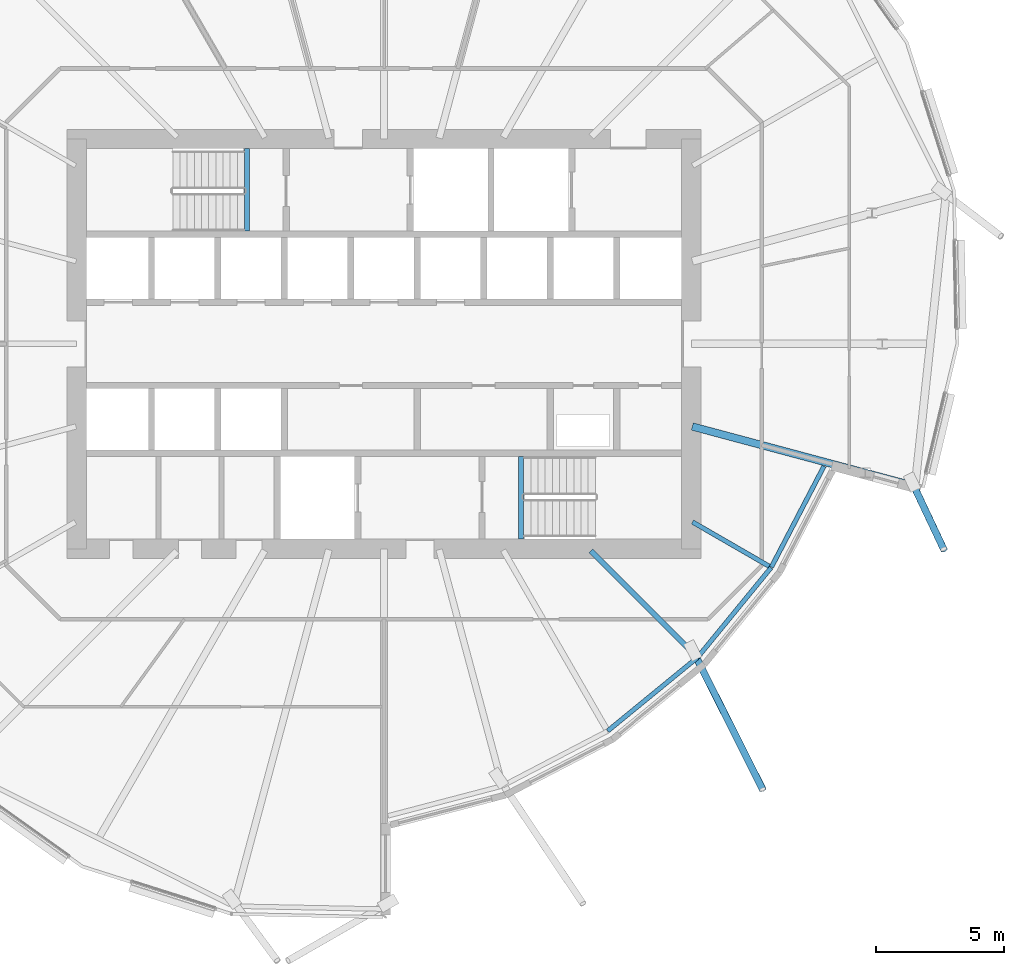
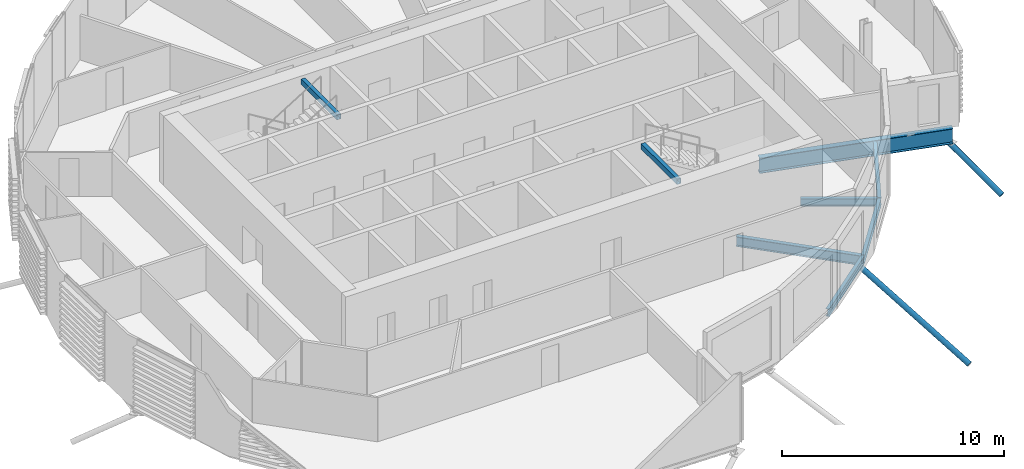
# One storey, part 15 of 42: 8 beams, 2 members.
"""IFC4 building model written with IfcOpenShell, lengths in metres."""

from ifc_helpers import new_model, si_unit, direction, frame, origin, origin_2d, place, context, subcontext, project, spatial, hollow_rectangle, hollow_circle, i_section, extrude, clip, halfspace, material, material_profile, profile_set, type_object, element, save


model = new_model("IFC4")

# Units and contexts
model_context = context("Model", 3, precision=1e-05, world=origin(), true_north=direction((0.0, 1.0)))
body_context = subcontext(model_context, "Body", "Model", "MODEL_VIEW")
ifc_project = project(units=[si_unit("LENGTHUNIT", "METRE"), si_unit("AREAUNIT", "SQUARE_METRE"), si_unit("VOLUMEUNIT", "CUBIC_METRE"), si_unit("PLANEANGLEUNIT", "RADIAN"), si_unit("MASSUNIT", "GRAM", prefix="KILO")], contexts=[model_context])

# Site, building, storey
site_placement = place(None, origin())
site = spatial("IfcSite", under=ifc_project, at=site_placement, CompositionType="ELEMENT")
building_placement = place(site_placement, origin())
building = spatial("IfcBuilding", under=site, at=building_placement, Name="Rimbun Link Towers", CompositionType="ELEMENT")
storey_placement = place(building_placement, frame((0.0, 0.0, 85.39990234375)))
storey = spatial("IfcBuildingStorey", under=building, at=storey_placement, Name="L20", CompositionType="ELEMENT", Elevation=85.39990234375)

# Members
ifc_material_1 = material(Name="Steel S355J2H", Category="steel")
ifc_material_profile_1 = material_profile(ifc_material_1, hollow_circle(Radius=0.136474609375, WallThickness=0.012451171875, at=origin_2d()), Name="CHS 273x12.5")
ifc_profile_set_1 = profile_set([ifc_material_profile_1], Name="Steel S355J2H")
member_type = type_object("IfcMemberType", Name="Floor edge link CHS 273x12.5", PredefinedType="BRACE", material=ifc_profile_set_1)
member_1_placement = place(storey_placement, frame((43.894287109375, -12.144287109375, -0.814697265625), z_axis=(0.397634359833, -0.790282249132, -0.46619832967), x_axis=(0.893297056116, 0.449466761324, 0.0)))
element("IfcMember", 1, at=member_1_placement, inside=storey, type_object=member_type, Name="Floor edge link T2 L20 18", PredefinedType="BRACE", context=body_context, shape_type="Clipping", body=[
    clip(extrude(hollow_circle(Radius=0.136474609375, WallThickness=0.012451171875, at=origin_2d()), frame((0.0, 0.0, -0.53955078125)), (0.0, 0.0, 1.0), 7.1982421875), halfspace(frame((0.0, 0.0, -0.2568359375), z_axis=(0.0, 0.884680234555, -0.46619832967)), False)),
])
member_2_placement = place(storey_placement, frame((52.438720703125, -5.543701171875, -1.11767578125), z_axis=(0.365826333093, -0.775688017968, -0.514275405592), x_axis=(0.904460492791, 0.426557401741, 0.0)))
element("IfcMember", 2, at=member_2_placement, inside=storey, type_object=member_type, Name="Floor edge link T2 L20 20", PredefinedType="BRACE", context=body_context, shape_type="Clipping", body=[
    clip(extrude(hollow_circle(Radius=0.136474609375, WallThickness=0.012451171875, at=origin_2d()), frame((0.0, 0.0, -0.474609375)), (0.0, 0.0, 1.0), 3.701416015625), halfspace(frame((0.0, 0.0, -0.223876953125), z_axis=(0.0, 0.857625097116, -0.514275405592)), False)),
])

# Beams
ifc_material_2 = material(Name="Steel S355J2", Category="steel")
ifc_material_profile_2 = material_profile(ifc_material_2, hollow_rectangle(XDim=0.199951171875, YDim=0.300048828125, WallThickness=0.011962890625, at=origin_2d()), Name="BOX 300x200x12")
ifc_profile_set_2 = profile_set([ifc_material_profile_2], Name="Steel S355J2")
beam_type_1 = type_object("IfcBeamType", Name="Stair trimmer beam BOX 300x200x12", PredefinedType="BEAM", material=ifc_profile_set_2)
for number, where, z_axis, x_axis, name in (
    (3, (26.39990234375, 7.625, 3.489990234375), (0.0, -1.0, 0.0), (1.0, 0.0, 0.0), "L20 ST3 stair beam 1"),
    (4, (37.10009765625, -7.625, 3.489990234375), (0.0, 1.0, 0.0), (-1.0, 0.0, 0.0), "L20 ST4 stair beam 1"),
):
    element("IfcBeam", number, at=place(storey_placement, frame(where, z_axis=z_axis, x_axis=x_axis)), inside=storey, type_object=beam_type_1, Name=name, PredefinedType="BEAM", context=body_context, shape_type="SweptSolid", body=[
        extrude(hollow_rectangle(XDim=0.199951171875, YDim=0.300048828125, WallThickness=0.011962890625, at=origin_2d()), origin(), (0.0, 0.0, 1.0), 3.22509765625),
    ])
ifc_material_3 = material(Name="Steel S355J2", Category="steel")
ifc_material_profile_3 = material_profile(ifc_material_3, i_section(OverallWidth=0.177978515625, OverallDepth=0.406494140625, WebThickness=0.0078125, FlangeThickness=0.0126953125, at=origin_2d()), Name="UB 406x178x60")
ifc_profile_set_3 = profile_set([ifc_material_profile_3], Name="Steel S355J2")
beam_type_2 = type_object("IfcBeamType", Name="UB 406x178x60", PredefinedType="BEAM", material=ifc_profile_set_3)
beam_1_placement = place(storey_placement, frame((43.79541015625, -6.954345703125, -0.363037109375), z_axis=(0.866028087245, -0.499995352082, 0.0), x_axis=(0.499995352082, 0.866028087245, 0.0)))
element("IfcBeam", 5, at=beam_1_placement, inside=storey, type_object=beam_type_2, Name="Radial beam T2 L20 19", PredefinedType="BEAM", context=body_context, shape_type="SweptSolid", body=[
    extrude(i_section(OverallWidth=0.177978515625, OverallDepth=0.406494140625, WebThickness=0.0078125, FlangeThickness=0.0126953125, at=origin_2d()), origin(), (0.0, 0.0, 1.0), 3.458984375),
])
for number, where, z_axis, x_axis, name in (
    (6, (40.48681640625, -15.112548828125, -0.363037109375), (0.773913988225, 0.633290722204, 0.0), (-0.633290722204, 0.773913988225, 0.0), "Edge beam T2 L20 17 recess"),
    (7, (43.99951171875, -12.235595703125, -0.363037109375), (0.633290722204, 0.773913988225, 0.0), (-0.773913988225, 0.633290722204, 0.0), "Edge beam T2 L20 18 recess"),
):
    element("IfcBeam", number, at=place(storey_placement, frame(where, z_axis=z_axis, x_axis=x_axis)), inside=storey, type_object=beam_type_2, Name=name, PredefinedType="BEAM", context=body_context, shape_type="SweptSolid", body=[
        extrude(i_section(OverallWidth=0.177978515625, OverallDepth=0.406494140625, WebThickness=0.0078125, FlangeThickness=0.0126953125, at=origin_2d()), origin(), (0.0, 0.0, 1.0), 4.52099609375),
    ])
beam_2_placement = place(storey_placement, frame((46.873779296875, -8.719970703125, -0.363037109375), z_axis=(0.462320257791, 0.886713019661, 0.0), x_axis=(-0.886713019661, 0.462320257791, 0.0)))
element("IfcBeam", 8, at=beam_2_placement, inside=storey, type_object=beam_type_2, Name="Edge beam T2 L20 19 recess", PredefinedType="BEAM", context=body_context, shape_type="SweptSolid", body=[
    extrude(i_section(OverallWidth=0.177978515625, OverallDepth=0.406494140625, WebThickness=0.0078125, FlangeThickness=0.0126953125, at=origin_2d()), origin(), (0.0, 0.0, 1.0), 4.447998046875),
])
ifc_material_4 = material(Name="Steel S355J2", Category="steel")
ifc_material_profile_4 = material_profile(ifc_material_4, i_section(OverallWidth=0.209228515625, OverallDepth=0.533203125, WebThickness=0.010009765625, FlangeThickness=0.015625, at=origin_2d()), Name="UB 533x210x92")
ifc_profile_set_4 = profile_set([ifc_material_profile_4], Name="Steel S355J2")
beam_type_3 = type_object("IfcBeamType", Name="UB 533x210x92", PredefinedType="BEAM", material=ifc_profile_set_4)
beam_3_placement = place(storey_placement, frame((39.82470703125, -8.07470703125, -0.426513671875), z_axis=(0.707106781187, -0.707106781187, 0.0), x_axis=(0.707106781187, 0.707106781187, 0.0)))
element("IfcBeam", 9, at=beam_3_placement, inside=storey, type_object=beam_type_3, Name="Radial beam T2 L20 18", PredefinedType="BEAM", context=body_context, shape_type="SweptSolid", body=[
    extrude(i_section(OverallWidth=0.209228515625, OverallDepth=0.533203125, WebThickness=0.010009765625, FlangeThickness=0.015625, at=origin_2d()), origin(), (0.0, 0.0, 1.0), 5.805419921875),
])
ifc_material_5 = material(Name="Steel S355J2", Category="steel")
ifc_material_profile_5 = material_profile(ifc_material_5, i_section(OverallWidth=0.29248046875, OverallDepth=0.8408203125, WebThickness=0.0126953125, FlangeThickness=0.021728515625, at=origin_2d()), Name="UB 838x292x194")
ifc_profile_set_5 = profile_set([ifc_material_profile_5], Name="Steel S355J2")
beam_type_4 = type_object("IfcBeamType", Name="UB 838x292x194", PredefinedType="BEAM", material=ifc_profile_set_5)
beam_4_placement = place(storey_placement, frame((43.788818359375, -3.225830078125, -0.580322265625), z_axis=(0.965929173315, -0.25880655351, 0.0), x_axis=(0.25880655351, 0.965929173315, 0.0)))
element("IfcBeam", 10, at=beam_4_placement, inside=storey, type_object=beam_type_4, Name="Radial beam T2 L20 20", PredefinedType="BEAM", context=body_context, shape_type="SweptSolid", body=[
    extrude(i_section(OverallWidth=0.29248046875, OverallDepth=0.8408203125, WebThickness=0.0126953125, FlangeThickness=0.021728515625, at=origin_2d()), origin(), (0.0, 0.0, 1.0), 9.005126953125),
])

save(model, "model.ifc")
